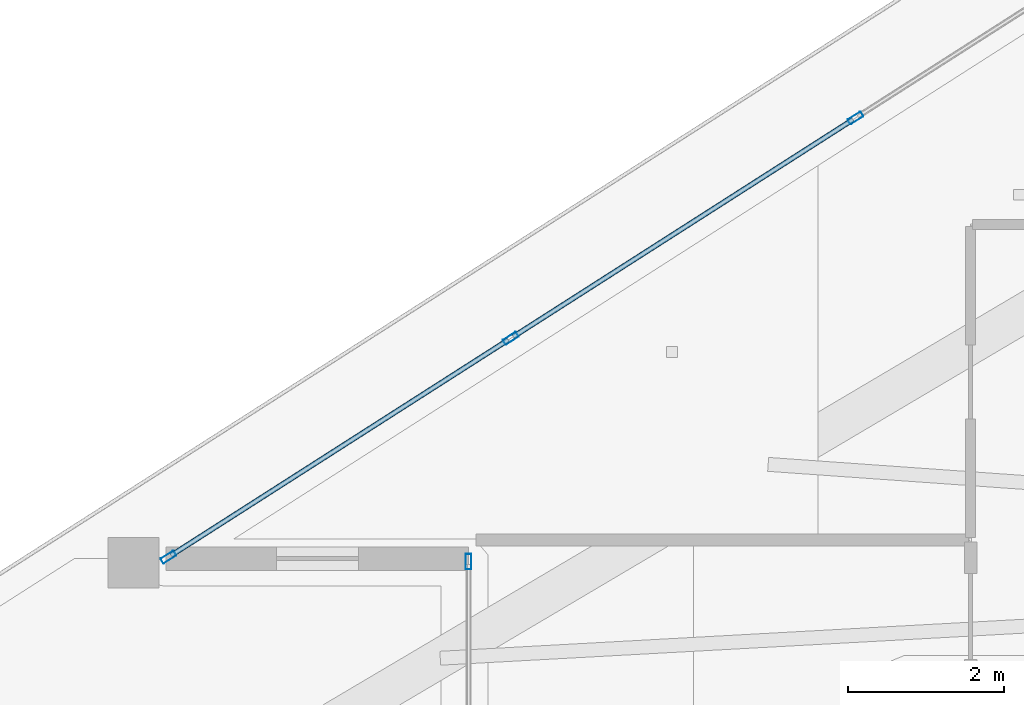
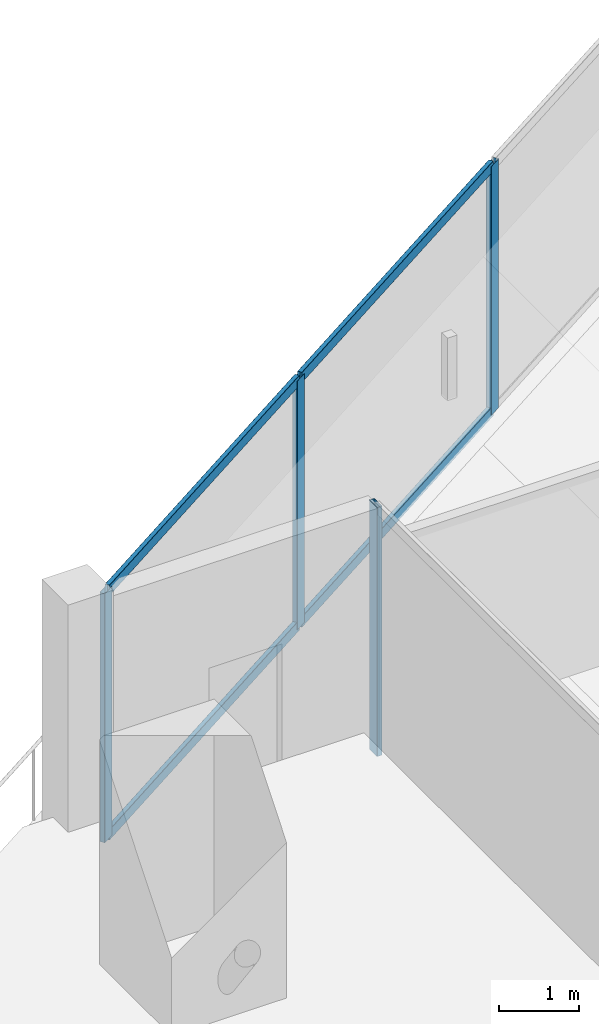
# One storey, part 12 of 32: 8 members, 2 elements without a shape of their own.
"""IFC4 building model written with IfcOpenShell, lengths in metres."""

from ifc_helpers import new_model, si_unit, direction, frame, origin, origin_2d, place, context, subcontext, project, spatial, hollow_rectangle, extrude, material, layer, layer_set, material_profile, profile_set, type_object, element, aggregate, save


model = new_model("IFC4")

# Units and contexts
model_context = context("Model", 3, precision=1e-05, world=origin(), true_north=direction((0.0, 1.0)))
body_context = subcontext(model_context, "Body", "Model", "MODEL_VIEW")
ifc_project = project(units=[si_unit("LENGTHUNIT", "METRE"), si_unit("AREAUNIT", "SQUARE_METRE"), si_unit("VOLUMEUNIT", "CUBIC_METRE"), si_unit("PLANEANGLEUNIT", "RADIAN"), si_unit("MASSUNIT", "GRAM", prefix="KILO")], contexts=[model_context])

# Site, building, storey
site_placement = place(None, origin())
site = spatial("IfcSite", under=ifc_project, at=site_placement, CompositionType="ELEMENT")
building_placement = place(site_placement, origin())
building = spatial("IfcBuilding", under=site, at=building_placement, Name="Qorvath Tower", CompositionType="ELEMENT")
storey_placement = place(building_placement, frame((0.0, 0.0, 233.39990234375)))
storey = spatial("IfcBuildingStorey", under=building, at=storey_placement, Name="L54", CompositionType="ELEMENT", Elevation=233.39990234375)

# Curtain wall, member
ifc_material_1 = material(Name="Anodised aluminium and triple low-E glass", Category="aluminium")
ifc_layer = layer(ifc_material_1, 0.179931640625)
ifc_layer_set = layer_set([ifc_layer], Name="CW-SYS-5")
curtain_wall_type = type_object("IfcCurtainWallType", Name="CW-SYS-5", PredefinedType="NOTDEFINED", material=ifc_layer_set)
curtain_wall_1_placement = place(storey_placement, origin())
curtain_wall_1 = element("IfcCurtainWall", 1, at=curtain_wall_1_placement, inside=storey, type_object=curtain_wall_type, Name="Curtain Wall CW-5 CW-T-L54-2.1", PredefinedType="NOTDEFINED")
ifc_material_2 = material(Name="Anodised aluminium 6063-T6", Category="aluminium")
ifc_material_profile_1 = material_profile(ifc_material_2, hollow_rectangle(XDim=0.074951171875, YDim=0.199951171875, WallThickness=0.00390625, InnerFilletRadius=0.00390625, OuterFilletRadius=0.008056640625, at=origin_2d()), Name="CWM 200x75")
ifc_profile_set_1 = profile_set([ifc_material_profile_1], Name="Anodised aluminium 6063-T6")
member_type_1 = type_object("IfcMemberType", Name="CWM-200", PredefinedType="MULLION", material=ifc_profile_set_1)
member_1_placement = place(storey_placement, frame((-44.2880859375, 6.439697265625, 0.0), z_axis=(0.0, 0.0, 1.0), x_axis=(1.0, 0.0, 0.0)))
member_1 = element("IfcMember", 2, at=member_1_placement, type_object=member_type_1, Name="CW-5 mullion 1", PredefinedType="MULLION", context=body_context, shape_type="SweptSolid", body=[
    extrude(hollow_rectangle(XDim=0.074951171875, YDim=0.199951171875, WallThickness=0.00390625, InnerFilletRadius=0.00390625, OuterFilletRadius=0.008056640625, at=origin_2d()), origin(), (0.0, 0.0, 1.0), 3.780029296875),
])
aggregate(curtain_wall_1, [member_1])

# Curtain wall, members
curtain_wall_2_placement = place(storey_placement, origin())
curtain_wall_2 = element("IfcCurtainWall", 3, at=curtain_wall_2_placement, inside=storey, type_object=curtain_wall_type, Name="Curtain Wall CW-5 CW-T-L54-18.1", PredefinedType="NOTDEFINED")
member_2_placement = place(storey_placement, frame((-39.331787109375, 12.12060546875, 0.0), z_axis=(0.0, 0.0, 1.0), x_axis=(0.538528188002, -0.842607495057, 0.0)))
member_2 = element("IfcMember", 4, at=member_2_placement, type_object=member_type_1, Name="CW-5 mullion 6", PredefinedType="MULLION", context=body_context, shape_type="SweptSolid", body=[
    extrude(hollow_rectangle(XDim=0.074951171875, YDim=0.199951171875, WallThickness=0.00390625, InnerFilletRadius=0.00390625, OuterFilletRadius=0.008056640625, at=origin_2d()), origin(), (0.0, 0.0, 1.0), 3.780029296875),
])
member_3_placement = place(storey_placement, frame((-43.746826171875, 9.298828125, 0.0), z_axis=(0.0, 0.0, 1.0), x_axis=(0.538528188002, -0.842607495057, 0.0)))
member_3 = element("IfcMember", 5, at=member_3_placement, type_object=member_type_1, Name="CW-5 mullion 7", PredefinedType="MULLION", context=body_context, shape_type="SweptSolid", body=[
    extrude(hollow_rectangle(XDim=0.074951171875, YDim=0.199951171875, WallThickness=0.00390625, InnerFilletRadius=0.00390625, OuterFilletRadius=0.008056640625, at=origin_2d()), origin(), (0.0, 0.0, 1.0), 3.780029296875),
])
member_4_placement = place(storey_placement, frame((-48.13037109375, 6.497314453125, 0.0), z_axis=(0.0, 0.0, 1.0), x_axis=(0.538528188002, -0.842607495057, 0.0)))
member_4 = element("IfcMember", 6, at=member_4_placement, type_object=member_type_1, Name="CW-5 mullion 8", PredefinedType="MULLION", context=body_context, shape_type="SweptSolid", body=[
    extrude(hollow_rectangle(XDim=0.074951171875, YDim=0.199951171875, WallThickness=0.00390625, InnerFilletRadius=0.00390625, OuterFilletRadius=0.008056640625, at=origin_2d()), origin(), (0.0, 0.0, 1.0), 3.780029296875),
])
ifc_material_3 = material(Name="Anodised aluminium 6063-T6", Category="aluminium")
ifc_material_profile_2 = material_profile(ifc_material_3, hollow_rectangle(XDim=0.06494140625, YDim=0.159912109375, WallThickness=0.00341796875, InnerFilletRadius=0.00341796875, OuterFilletRadius=0.007080078125, at=origin_2d()), Name="CWT 160x65")
ifc_profile_set_2 = profile_set([ifc_material_profile_2], Name="Anodised aluminium 6063-T6")
member_type_2 = type_object("IfcMemberType", Name="CWT-160", PredefinedType="USERDEFINED", material=ifc_profile_set_2)
member_5_placement = place(storey_placement, frame((-39.363525390625, 12.100341796875, 0.032470703125), z_axis=(-0.842614632309, -0.538517020548, 0.0), x_axis=(0.538517020548, -0.842614632309, 0.0)))
member_5 = element("IfcMember", 7, at=member_5_placement, type_object=member_type_2, Name="CW-5 transom 6.1", ObjectType="TRANSOM", PredefinedType="USERDEFINED", context=body_context, shape_type="SweptSolid", body=[
    extrude(hollow_rectangle(XDim=0.06494140625, YDim=0.159912109375, WallThickness=0.00341796875, InnerFilletRadius=0.00341796875, OuterFilletRadius=0.007080078125, at=origin_2d()), origin(), (0.0, 0.0, 1.0), 5.16455078125),
])
member_6_placement = place(storey_placement, frame((-39.363525390625, 12.100341796875, 3.74755859375), z_axis=(-0.842614632309, -0.538517020548, 0.0), x_axis=(0.538517020548, -0.842614632309, 0.0)))
member_6 = element("IfcMember", 8, at=member_6_placement, type_object=member_type_2, Name="CW-5 transom 6.2", ObjectType="TRANSOM", PredefinedType="USERDEFINED", context=body_context, shape_type="SweptSolid", body=[
    extrude(hollow_rectangle(XDim=0.06494140625, YDim=0.159912109375, WallThickness=0.00341796875, InnerFilletRadius=0.00341796875, OuterFilletRadius=0.007080078125, at=origin_2d()), origin(), (0.0, 0.0, 1.0), 5.16455078125),
])
member_7_placement = place(storey_placement, frame((-43.778564453125, 9.278564453125, 0.032470703125), z_axis=(-0.842612832178, -0.538519837191, 0.0), x_axis=(0.538519837191, -0.842612832178, 0.0)))
member_7 = element("IfcMember", 9, at=member_7_placement, type_object=member_type_2, Name="CW-5 transom 7.1", ObjectType="TRANSOM", PredefinedType="USERDEFINED", context=body_context, shape_type="SweptSolid", body=[
    extrude(hollow_rectangle(XDim=0.06494140625, YDim=0.159912109375, WallThickness=0.00341796875, InnerFilletRadius=0.00341796875, OuterFilletRadius=0.007080078125, at=origin_2d()), origin(), (0.0, 0.0, 1.0), 5.126953125),
])
member_8_placement = place(storey_placement, frame((-43.778564453125, 9.278564453125, 3.74755859375), z_axis=(-0.842612832178, -0.538519837191, 0.0), x_axis=(0.538519837191, -0.842612832178, 0.0)))
member_8 = element("IfcMember", 10, at=member_8_placement, type_object=member_type_2, Name="CW-5 transom 7.2", ObjectType="TRANSOM", PredefinedType="USERDEFINED", context=body_context, shape_type="SweptSolid", body=[
    extrude(hollow_rectangle(XDim=0.06494140625, YDim=0.159912109375, WallThickness=0.00341796875, InnerFilletRadius=0.00341796875, OuterFilletRadius=0.007080078125, at=origin_2d()), origin(), (0.0, 0.0, 1.0), 5.126953125),
])
aggregate(curtain_wall_2, [member_2, member_3, member_4, member_5, member_6, member_7, member_8])

save(model, "model.ifc")
